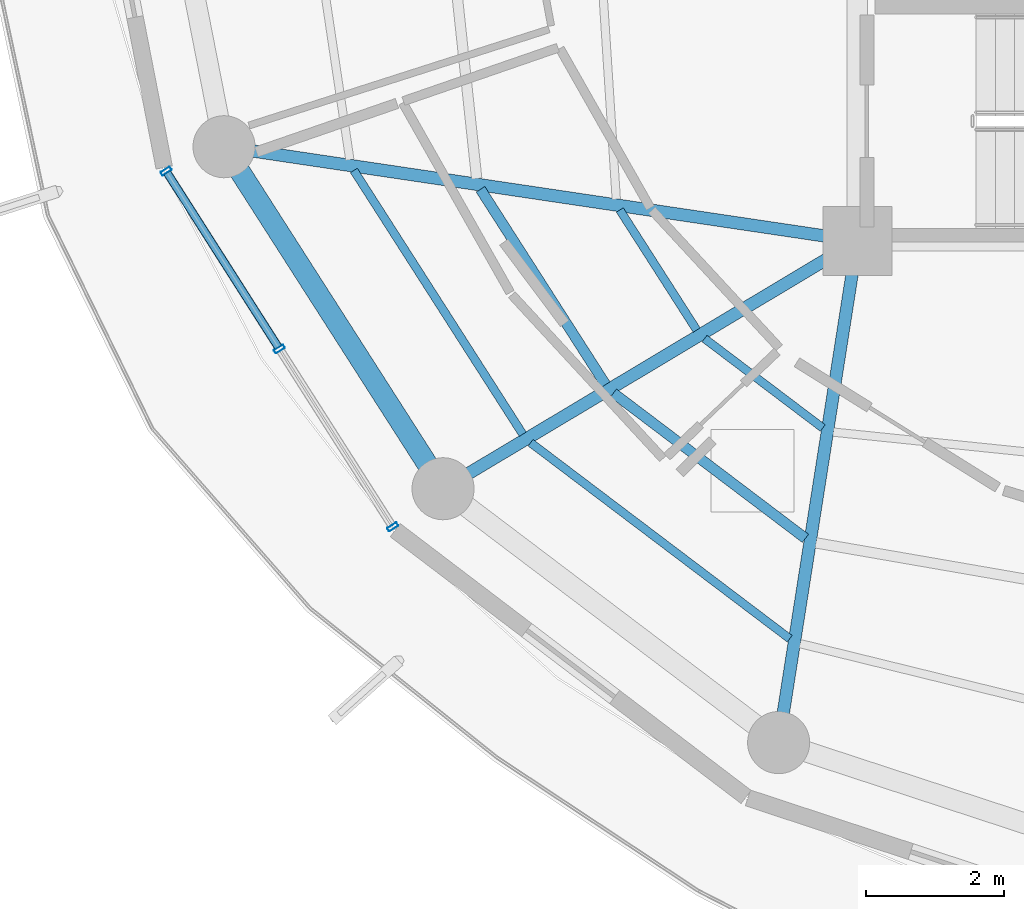
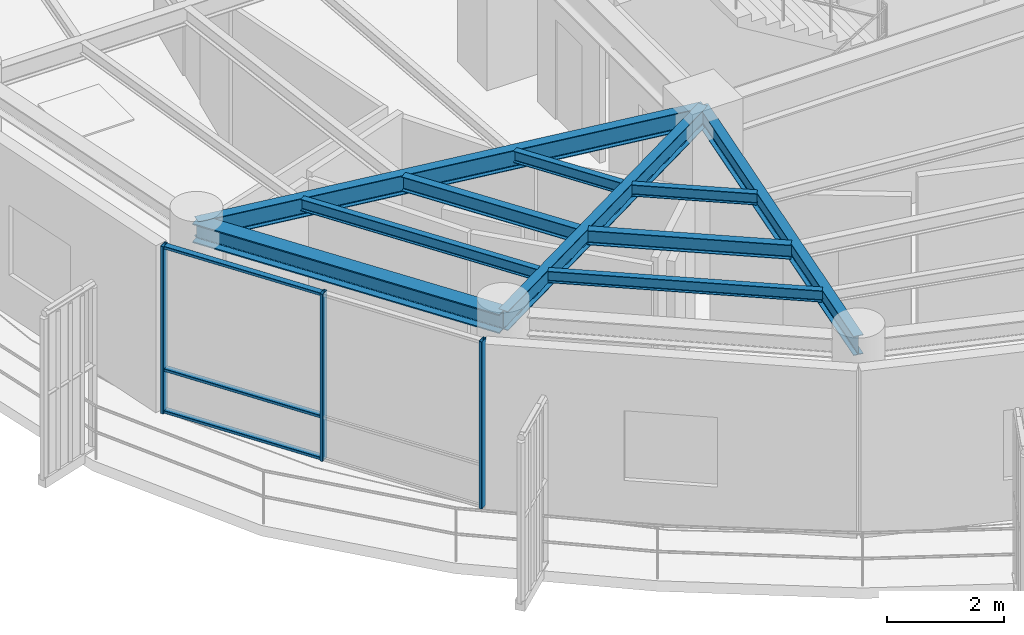
# One storey, part 2 of 22: 10 beams, 6 members, 1 element without a shape of its own.
"""IFC4 building model written with IfcOpenShell, lengths in metres."""

from ifc_helpers import new_model, si_unit, direction, frame, origin, origin_2d, place, context, subcontext, project, spatial, hollow_rectangle, i_section, extrude, material, layer, layer_set, material_profile, profile_set, type_object, element, aggregate, save


model = new_model("IFC4")

# Units and contexts
model_context = context("Model", 3, precision=1e-05, world=origin(), true_north=direction((0.0, 1.0)))
body_context = subcontext(model_context, "Body", "Model", "MODEL_VIEW")
ifc_project = project(units=[si_unit("LENGTHUNIT", "METRE"), si_unit("AREAUNIT", "SQUARE_METRE"), si_unit("VOLUMEUNIT", "CUBIC_METRE"), si_unit("PLANEANGLEUNIT", "RADIAN"), si_unit("MASSUNIT", "GRAM", prefix="KILO")], contexts=[model_context])

# Site, building, storey
site_placement = place(None, origin())
site = spatial("IfcSite", under=ifc_project, at=site_placement, CompositionType="ELEMENT")
building_placement = place(site_placement, origin())
building = spatial("IfcBuilding", under=site, at=building_placement, Name="Kelanora Arch Commons", CompositionType="ELEMENT")
storey_placement = place(building_placement, frame((0.0, 0.0, 274.949951171875)))
storey = spatial("IfcBuildingStorey", under=building, at=storey_placement, Name="L70", CompositionType="ELEMENT", Elevation=274.949951171875)

# Beams
ifc_material_1 = material(Name="Steel S355", Category="steel")
ifc_material_profile_1 = material_profile(ifc_material_1, i_section(OverallWidth=0.14990234375, OverallDepth=0.300048828125, WebThickness=0.007080078125, FlangeThickness=0.0107421875, FilletRadius=0.014892578125, at=origin_2d()), Name="IPE300")
ifc_profile_set_1 = profile_set([ifc_material_profile_1], Name="Steel S355")
beam_type_1 = type_object("IfcBeamType", Name="BM-JST-01", PredefinedType="JOIST", material=ifc_profile_set_1)
beam_1_placement = place(storey_placement, frame((60.539306640625, 51.74658203125, 3.340087890625), z_axis=(0.539321586177, -0.842099891155, 0.0), x_axis=(0.842099891155, 0.539321586177, 0.0)))
element("IfcBeam", 1, at=beam_1_placement, inside=storey, type_object=beam_type_1, Name="Secondary Chord Joist BJB-20 L70", PredefinedType="JOIST", context=body_context, shape_type="SweptSolid", body=[
    extrude(i_section(OverallWidth=0.14990234375, OverallDepth=0.300048828125, WebThickness=0.007080078125, FlangeThickness=0.0107421875, FilletRadius=0.014892578125, at=origin_2d()), origin(), (0.0, 0.0, 1.0), 3.361572265625),
])
beam_2_placement = place(storey_placement, frame((62.4658203125, 48.79296875, 3.340087890625), z_axis=(0.797499198801, -0.603320004568, 0.0), x_axis=(0.603320004568, 0.797499198801, 0.0)))
element("IfcBeam", 2, at=beam_2_placement, inside=storey, type_object=beam_type_1, Name="Secondary Chord Joist BJB-22 L70", PredefinedType="JOIST", context=body_context, shape_type="SweptSolid", body=[
    extrude(i_section(OverallWidth=0.14990234375, OverallDepth=0.300048828125, WebThickness=0.007080078125, FlangeThickness=0.0107421875, FilletRadius=0.014892578125, at=origin_2d()), origin(), (0.0, 0.0, 1.0), 3.489013671875),
])
ifc_material_profile_2 = material_profile(ifc_material_1, i_section(OverallWidth=0.1201171875, OverallDepth=0.239990234375, WebThickness=0.006103515625, FlangeThickness=0.009765625, FilletRadius=0.014892578125, at=origin_2d()), Name="IPE240")
ifc_profile_set_2 = profile_set([ifc_material_profile_2], Name="Steel S355")
beam_type_2 = type_object("IfcBeamType", Name="BM-JST-02", PredefinedType="JOIST", material=ifc_profile_set_2)
beam_3_placement = place(storey_placement, frame((62.558349609375, 51.446533203125, 3.3701171875), z_axis=(0.539311810315, -0.842106152011, 0.0), x_axis=(0.842106152011, 0.539311810315, 0.0)))
element("IfcBeam", 3, at=beam_3_placement, inside=storey, type_object=beam_type_2, Name="Secondary Chord Joist BJA-20 L70", PredefinedType="JOIST", context=body_context, shape_type="SweptSolid", body=[
    extrude(i_section(OverallWidth=0.1201171875, OverallDepth=0.239990234375, WebThickness=0.006103515625, FlangeThickness=0.009765625, FilletRadius=0.014892578125, at=origin_2d()), origin(), (0.0, 0.0, 1.0), 2.06640625),
])
beam_4_placement = place(storey_placement, frame((58.703857421875, 52.019287109375, 3.3701171875), z_axis=(0.539288735289, -0.842120929552, 0.0), x_axis=(0.842120929552, 0.539288735289, 0.0)))
element("IfcBeam", 4, at=beam_4_placement, inside=storey, type_object=beam_type_2, Name="Secondary Chord Joist BJC-20 L70", PredefinedType="JOIST", context=body_context, shape_type="SweptSolid", body=[
    extrude(i_section(OverallWidth=0.1201171875, OverallDepth=0.239990234375, WebThickness=0.006103515625, FlangeThickness=0.009765625, FilletRadius=0.014892578125, at=origin_2d()), origin(), (0.0, 0.0, 1.0), 4.538818359375),
])
beam_5_placement = place(storey_placement, frame((63.78662109375, 49.583251953125, 3.3701171875), z_axis=(0.797509883882, -0.603305880222, 0.0), x_axis=(0.603305880222, 0.797509883882, 0.0)))
element("IfcBeam", 5, at=beam_5_placement, inside=storey, type_object=beam_type_2, Name="Secondary Chord Joist BJA-22 L70", PredefinedType="JOIST", context=body_context, shape_type="SweptSolid", body=[
    extrude(i_section(OverallWidth=0.1201171875, OverallDepth=0.239990234375, WebThickness=0.006103515625, FlangeThickness=0.009765625, FilletRadius=0.014892578125, at=origin_2d()), origin(), (0.0, 0.0, 1.0), 2.147216796875),
])
beam_6_placement = place(storey_placement, frame((61.26513671875, 48.07421875, 3.3701171875), z_axis=(0.79752302984, -0.60328850219, 0.0), x_axis=(0.60328850219, 0.79752302984, 0.0)))
element("IfcBeam", 6, at=beam_6_placement, inside=storey, type_object=beam_type_2, Name="Secondary Chord Joist BJC-22 L70", PredefinedType="JOIST", context=body_context, shape_type="SweptSolid", body=[
    extrude(i_section(OverallWidth=0.1201171875, OverallDepth=0.239990234375, WebThickness=0.006103515625, FlangeThickness=0.009765625, FilletRadius=0.014892578125, at=origin_2d()), origin(), (0.0, 0.0, 1.0), 4.70849609375),
])
ifc_material_profile_3 = material_profile(ifc_material_1, i_section(OverallWidth=0.179931640625, OverallDepth=0.39990234375, WebThickness=0.008544921875, FlangeThickness=0.013427734375, FilletRadius=0.02099609375, at=origin_2d()), Name="IPE400")
ifc_profile_set_3 = profile_set([ifc_material_profile_3], Name="Steel S355")
beam_type_3 = type_object("IfcBeamType", Name="BM-RAD-Z5", PredefinedType="BEAM", material=ifc_profile_set_3)
beam_7_placement = place(storey_placement, frame((66.0, 51.0, 3.2900390625), z_axis=(-0.989142485564, 0.146959665395, 0.0), x_axis=(-0.146959665395, -0.989142485564, 0.0)))
element("IfcBeam", 7, at=beam_7_placement, inside=storey, type_object=beam_type_3, Name="Radial Floor Girder BR-20 L70", PredefinedType="BEAM", context=body_context, shape_type="SweptSolid", body=[
    extrude(i_section(OverallWidth=0.179931640625, OverallDepth=0.39990234375, WebThickness=0.008544921875, FlangeThickness=0.013427734375, FilletRadius=0.02099609375, at=origin_2d()), origin(), (0.0, 0.0, 1.0), 9.2783203125),
])
beam_8_placement = place(storey_placement, frame((66.0, 51.0, 3.2900390625), z_axis=(-0.858062005744, -0.513546097541, 0.0), x_axis=(0.513546097541, -0.858062005744, 0.0)))
element("IfcBeam", 8, at=beam_8_placement, inside=storey, type_object=beam_type_3, Name="Radial Floor Girder BR-22 L70", PredefinedType="BEAM", context=body_context, shape_type="SweptSolid", body=[
    extrude(i_section(OverallWidth=0.179931640625, OverallDepth=0.39990234375, WebThickness=0.008544921875, FlangeThickness=0.013427734375, FilletRadius=0.02099609375, at=origin_2d()), origin(), (0.0, 0.0, 1.0), 6.99658203125),
])
beam_9_placement = place(storey_placement, frame((66.0, 51.0, 3.2900390625), z_axis=(-0.154855424129, -0.987937142544, 0.0), x_axis=(0.987937142544, -0.154855424129, 0.0)))
element("IfcBeam", 9, at=beam_9_placement, inside=storey, type_object=beam_type_3, Name="Radial Floor Girder BR-24 L70", PredefinedType="BEAM", context=body_context, shape_type="SweptSolid", body=[
    extrude(i_section(OverallWidth=0.179931640625, OverallDepth=0.39990234375, WebThickness=0.008544921875, FlangeThickness=0.013427734375, FilletRadius=0.02099609375, at=origin_2d()), origin(), (0.0, 0.0, 1.0), 7.361083984375),
])
ifc_material_profile_4 = material_profile(ifc_material_1, i_section(OverallWidth=0.300048828125, OverallDepth=0.39990234375, WebThickness=0.013427734375, FlangeThickness=0.02392578125, FilletRadius=0.027099609375, at=origin_2d()), Name="HEB400")
ifc_profile_set_4 = profile_set([ifc_material_profile_4], Name="Steel S355")
beam_type_4 = type_object("IfcBeamType", Name="BM-SPN-Z4", PredefinedType="SPANDREL", material=ifc_profile_set_4)
beam_10_placement = place(storey_placement, frame((56.822509765625, 52.363525390625, 3.2900390625), z_axis=(0.539280851353, -0.842125978322, 0.0), x_axis=(0.842125978322, 0.539280851353, 0.0)))
element("IfcBeam", 10, at=beam_10_placement, inside=storey, type_object=beam_type_4, Name="Perimeter Spandrel Beam BS-20 L70", PredefinedType="SPANDREL", context=body_context, shape_type="SweptSolid", body=[
    extrude(i_section(OverallWidth=0.300048828125, OverallDepth=0.39990234375, WebThickness=0.013427734375, FlangeThickness=0.02392578125, FilletRadius=0.027099609375, at=origin_2d()), origin(), (0.0, 0.0, 1.0), 5.8857421875),
])

# Curtain wall, members
ifc_material_2 = material(Name="Terracotta ceramic-fritted low-E glass and aluminium", Category="masonry")
ifc_layer = layer(ifc_material_2, 0.18994140625)
ifc_layer_set = layer_set([ifc_layer], Name="Terracotta ceramic-fritted low-E glass and aluminium")
curtain_wall_type = type_object("IfcCurtainWallType", Name="CW-SYS-03", PredefinedType="NOTDEFINED", material=ifc_layer_set)
curtain_wall_placement = place(storey_placement, origin())
curtain_wall = element("IfcCurtainWall", 11, at=curtain_wall_placement, inside=storey, type_object=curtain_wall_type, Name="Unitised Curtain Wall L70-B10", PredefinedType="NOTDEFINED")
ifc_material_3 = material(Name="Powder-coated aluminium terracotta", Category="masonry")
ifc_material_profile_5 = material_profile(ifc_material_3, hollow_rectangle(XDim=0.159912109375, YDim=0.06005859375, WallThickness=0.0048828125, InnerFilletRadius=0.0048828125, OuterFilletRadius=0.010009765625, at=origin_2d()), Name="CWM160x60")
ifc_profile_set_5 = profile_set([ifc_material_profile_5], Name="Powder-coated aluminium terracotta")
member_type_1 = type_object("IfcMemberType", Name="CWM-STD", PredefinedType="MULLION", material=ifc_profile_set_5)
member_1_placement = place(storey_placement, frame((55.982177734375, 52.0107421875, 0.0), z_axis=(0.0, 0.0, 1.0), x_axis=(0.843391314545, 0.537299814397, 0.0)))
member_1 = element("IfcMember", 12, at=member_1_placement, type_object=member_type_1, Name="CW-03 mullion 1", PredefinedType="MULLION", context=body_context, shape_type="SweptSolid", body=[
    extrude(hollow_rectangle(XDim=0.159912109375, YDim=0.06005859375, WallThickness=0.0048828125, InnerFilletRadius=0.0048828125, OuterFilletRadius=0.010009765625, at=origin_2d()), origin(), (0.0, 0.0, 1.0), 3.47509765625),
])
member_2_placement = place(storey_placement, frame((57.625, 49.43212890625, 0.0), z_axis=(0.0, 0.0, 1.0), x_axis=(0.843391314545, 0.537299814397, 0.0)))
member_2 = element("IfcMember", 13, at=member_2_placement, type_object=member_type_1, Name="CW-03 mullion 2", PredefinedType="MULLION", context=body_context, shape_type="SweptSolid", body=[
    extrude(hollow_rectangle(XDim=0.159912109375, YDim=0.06005859375, WallThickness=0.0048828125, InnerFilletRadius=0.0048828125, OuterFilletRadius=0.010009765625, at=origin_2d()), origin(), (0.0, 0.0, 1.0), 3.47509765625),
])
member_3_placement = place(storey_placement, frame((59.267578125, 46.853515625, 0.0), z_axis=(0.0, 0.0, 1.0), x_axis=(0.843391314545, 0.537299814397, 0.0)))
member_3 = element("IfcMember", 14, at=member_3_placement, type_object=member_type_1, Name="CW-03 mullion 3", PredefinedType="MULLION", context=body_context, shape_type="SweptSolid", body=[
    extrude(hollow_rectangle(XDim=0.159912109375, YDim=0.06005859375, WallThickness=0.0048828125, InnerFilletRadius=0.0048828125, OuterFilletRadius=0.010009765625, at=origin_2d()), origin(), (0.0, 0.0, 1.0), 3.47509765625),
])
ifc_material_profile_6 = material_profile(ifc_material_3, hollow_rectangle(XDim=0.1201171875, YDim=0.06005859375, WallThickness=0.0048828125, InnerFilletRadius=0.0048828125, OuterFilletRadius=0.010009765625, at=origin_2d()), Name="CWT120x60")
ifc_profile_set_6 = profile_set([ifc_material_profile_6], Name="Powder-coated aluminium terracotta")
member_type_2 = type_object("IfcMemberType", Name="CWT-STD", PredefinedType="USERDEFINED", material=ifc_profile_set_6)
member_4_placement = place(storey_placement, frame((55.998291015625, 51.985595703125, 0.030029296875), z_axis=(0.537307571338, -0.843386372775, 0.0), x_axis=(0.843386372775, 0.537307571338, 0.0)))
member_4 = element("IfcMember", 15, at=member_4_placement, type_object=member_type_2, Name="CW-03 transom 1.1", ObjectType="TRANSOM", PredefinedType="USERDEFINED", context=body_context, shape_type="SweptSolid", body=[
    extrude(hollow_rectangle(XDim=0.1201171875, YDim=0.06005859375, WallThickness=0.0048828125, InnerFilletRadius=0.0048828125, OuterFilletRadius=0.010009765625, at=origin_2d()), origin(), (0.0, 0.0, 1.0), 2.99755859375),
])
member_5_placement = place(storey_placement, frame((55.998291015625, 51.985595703125, 0.900146484375), z_axis=(0.537307571338, -0.843386372775, 0.0), x_axis=(0.843386372775, 0.537307571338, 0.0)))
member_5 = element("IfcMember", 16, at=member_5_placement, type_object=member_type_2, Name="CW-03 transom 1.2", ObjectType="TRANSOM", PredefinedType="USERDEFINED", context=body_context, shape_type="SweptSolid", body=[
    extrude(hollow_rectangle(XDim=0.1201171875, YDim=0.06005859375, WallThickness=0.0048828125, InnerFilletRadius=0.0048828125, OuterFilletRadius=0.010009765625, at=origin_2d()), origin(), (0.0, 0.0, 1.0), 2.99755859375),
])
member_6_placement = place(storey_placement, frame((55.998291015625, 51.985595703125, 3.445068359375), z_axis=(0.537307571338, -0.843386372775, 0.0), x_axis=(0.843386372775, 0.537307571338, 0.0)))
member_6 = element("IfcMember", 17, at=member_6_placement, type_object=member_type_2, Name="CW-03 transom 1.3", ObjectType="TRANSOM", PredefinedType="USERDEFINED", context=body_context, shape_type="SweptSolid", body=[
    extrude(hollow_rectangle(XDim=0.1201171875, YDim=0.06005859375, WallThickness=0.0048828125, InnerFilletRadius=0.0048828125, OuterFilletRadius=0.010009765625, at=origin_2d()), origin(), (0.0, 0.0, 1.0), 2.99755859375),
])
aggregate(curtain_wall, [member_1, member_2, member_3, member_4, member_5, member_6])

save(model, "model.ifc")
